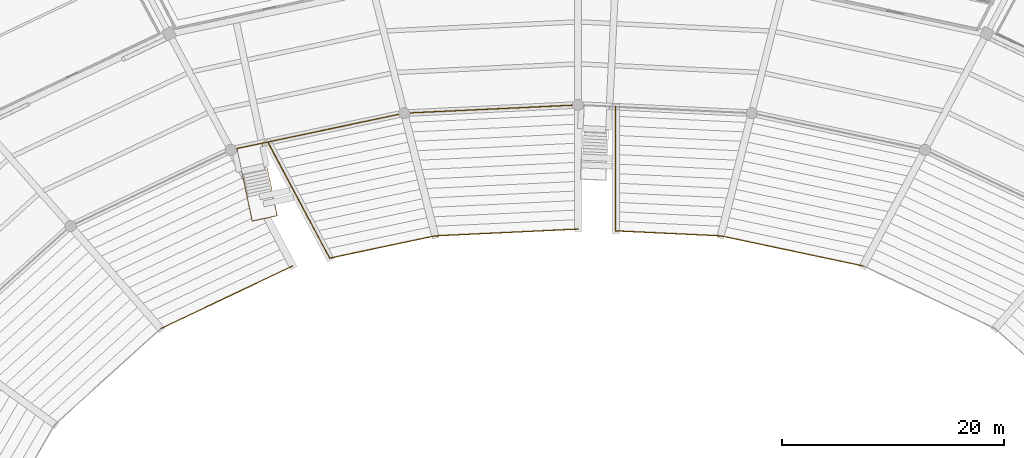
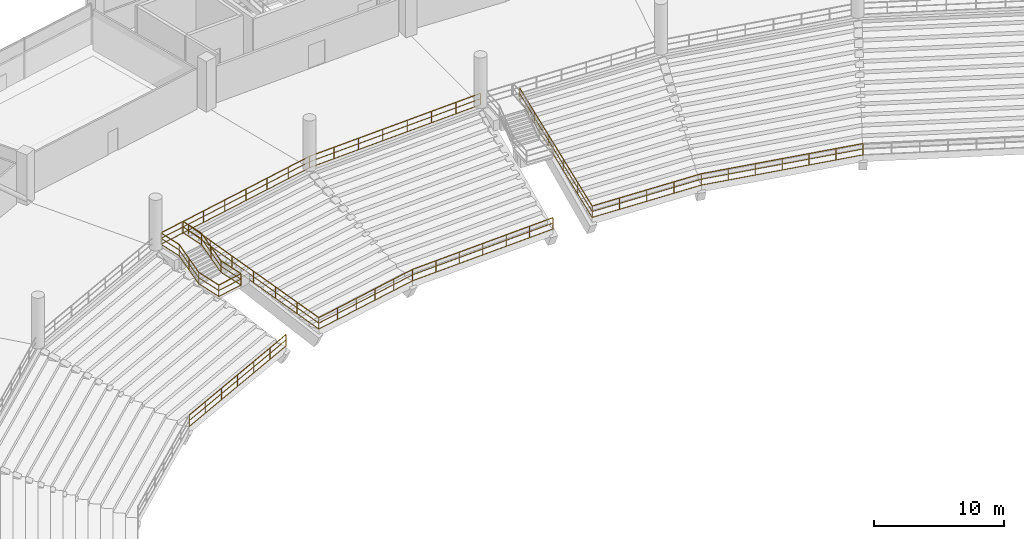
# One storey, part 153 of 156: 10 railings.
"""IFC4 building model written with IfcOpenShell, lengths in metres."""

from ifc_helpers import new_model, si_unit, direction, frame, origin, origin_2d, place, context, subcontext, project, spatial, rectangle, extrude, material, type_object, element, save


model = new_model("IFC4")

# Units and contexts
model_context = context("Model", 3, precision=1e-05, world=origin(), true_north=direction((0.0, 1.0)))
body_context = subcontext(model_context, "Body", "Model", "MODEL_VIEW")
ifc_project = project(units=[si_unit("LENGTHUNIT", "METRE"), si_unit("AREAUNIT", "SQUARE_METRE"), si_unit("VOLUMEUNIT", "CUBIC_METRE"), si_unit("PLANEANGLEUNIT", "RADIAN"), si_unit("MASSUNIT", "GRAM", prefix="KILO")], contexts=[model_context])

# Site, building, storey
site_placement = place(None, origin())
site = spatial("IfcSite", under=ifc_project, at=site_placement, CompositionType="ELEMENT")
building_placement = place(site_placement, origin())
building = spatial("IfcBuilding", under=site, at=building_placement, Name="Kazemori Nagisa Stadium", CompositionType="ELEMENT")
storey_placement = place(building_placement, frame((0.0, 0.0, 5.780029296875)))
storey = spatial("IfcBuildingStorey", under=building, at=storey_placement, Name="L01", CompositionType="ELEMENT", Elevation=5.780029296875)

# Railings
ifc_material_1 = material(Name="Laminated safety glass and stainless steel SUS304", Category="steel")
railing_type_1 = type_object("IfcRailingType", Name="Rail_BAL", PredefinedType="BALUSTRADE", material=ifc_material_1)
railing_1_placement = place(storey_placement, frame((123.0, 164.780029296875, 0.0)))
element("IfcRailing", 1, at=railing_1_placement, inside=storey, type_object=railing_type_1, Name="Concourse bowl balustrade L01-B08", PredefinedType="BALUSTRADE", context=body_context, shape_type="SweptSolid", body=[
    extrude(rectangle(XDim=0.050048828125, YDim=0.050048828125, at=origin_2d()), frame((0.0, 0.0, 1.09521484375), z_axis=(-0.998883604512, -0.047239227746, 0.0), x_axis=(0.047239227746, -0.998883604512, 0.0)), (0.0, 0.0, 1.0), 15.65966796875),
    extrude(rectangle(XDim=0.03759765625, YDim=0.03759765625, at=origin_2d()), frame((0.0, 0.0, 0.58251953125), z_axis=(-0.998883604512, -0.047239227746, 0.0), x_axis=(0.047239227746, -0.998883604512, 0.0)), (0.0, 0.0, 1.0), 15.65966796875),
    extrude(rectangle(XDim=0.03759765625, YDim=0.03759765625, at=origin_2d()), frame((0.0, 0.0, 0.02490234375), z_axis=(-0.998883604512, -0.047239227746, 0.0), x_axis=(0.047239227746, -0.998883604512, 0.0)), (0.0, 0.0, 1.0), 15.65966796875),
    extrude(rectangle(XDim=0.044921875, YDim=0.044921875, at=origin_2d()), origin(), (0.0, 0.0, 1.0), 1.070068359375),
    extrude(rectangle(XDim=0.044921875, YDim=0.044921875, at=origin_2d()), frame((-2.234619140625, -0.105712890625, 0.0)), (0.0, 0.0, 1.0), 1.070068359375),
    extrude(rectangle(XDim=0.044921875, YDim=0.044921875, at=origin_2d()), frame((-4.46923828125, -0.21142578125, 0.0)), (0.0, 0.0, 1.0), 1.070068359375),
    extrude(rectangle(XDim=0.044921875, YDim=0.044921875, at=origin_2d()), frame((-6.703857421875, -0.317138671875, 0.0)), (0.0, 0.0, 1.0), 1.070068359375),
    extrude(rectangle(XDim=0.044921875, YDim=0.044921875, at=origin_2d()), frame((-8.938232421875, -0.422607421875, 0.0)), (0.0, 0.0, 1.0), 1.070068359375),
    extrude(rectangle(XDim=0.044921875, YDim=0.044921875, at=origin_2d()), frame((-11.1728515625, -0.5283203125, 0.0)), (0.0, 0.0, 1.0), 1.070068359375),
    extrude(rectangle(XDim=0.044921875, YDim=0.044921875, at=origin_2d()), frame((-13.407470703125, -0.634033203125, 0.0)), (0.0, 0.0, 1.0), 1.070068359375),
    extrude(rectangle(XDim=0.044921875, YDim=0.044921875, at=origin_2d()), frame((-15.64208984375, -0.73974609375, 0.0)), (0.0, 0.0, 1.0), 1.070068359375),
])
railing_2_placement = place(storey_placement, frame((107.35791015625, 164.040283203125, 0.0)))
element("IfcRailing", 2, at=railing_2_placement, inside=storey, type_object=railing_type_1, Name="Concourse bowl balustrade L01-B09", PredefinedType="BALUSTRADE", context=body_context, shape_type="SweptSolid", body=[
    extrude(rectangle(XDim=0.050048828125, YDim=0.050048828125, at=origin_2d()), frame((0.0, 0.0, 1.09521484375), z_axis=(-0.978347480919, -0.206969095711, 0.0), x_axis=(0.206969095711, -0.978347480919, 0.0)), (0.0, 0.0, 1.0), 15.40087890625),
    extrude(rectangle(XDim=0.03759765625, YDim=0.03759765625, at=origin_2d()), frame((0.0, 0.0, 0.58251953125), z_axis=(-0.978347480919, -0.206969095711, 0.0), x_axis=(0.206969095711, -0.978347480919, 0.0)), (0.0, 0.0, 1.0), 15.40087890625),
    extrude(rectangle(XDim=0.03759765625, YDim=0.03759765625, at=origin_2d()), frame((0.0, 0.0, 0.02490234375), z_axis=(-0.978347480919, -0.206969095711, 0.0), x_axis=(0.206969095711, -0.978347480919, 0.0)), (0.0, 0.0, 1.0), 15.40087890625),
    extrude(rectangle(XDim=0.044921875, YDim=0.044921875, at=origin_2d()), origin(), (0.0, 0.0, 1.0), 1.070068359375),
    extrude(rectangle(XDim=0.044921875, YDim=0.044921875, at=origin_2d()), frame((-2.152587890625, -0.455322265625, 0.0)), (0.0, 0.0, 1.0), 1.070068359375),
    extrude(rectangle(XDim=0.044921875, YDim=0.044921875, at=origin_2d()), frame((-4.304931640625, -0.91064453125, 0.0)), (0.0, 0.0, 1.0), 1.070068359375),
    extrude(rectangle(XDim=0.044921875, YDim=0.044921875, at=origin_2d()), frame((-6.45751953125, -1.365966796875, 0.0)), (0.0, 0.0, 1.0), 1.070068359375),
    extrude(rectangle(XDim=0.044921875, YDim=0.044921875, at=origin_2d()), frame((-8.60986328125, -1.821533203125, 0.0)), (0.0, 0.0, 1.0), 1.070068359375),
    extrude(rectangle(XDim=0.044921875, YDim=0.044921875, at=origin_2d()), frame((-10.762451171875, -2.27685546875, 0.0)), (0.0, 0.0, 1.0), 1.070068359375),
    extrude(rectangle(XDim=0.044921875, YDim=0.044921875, at=origin_2d()), frame((-12.914794921875, -2.732177734375, 0.0)), (0.0, 0.0, 1.0), 1.070068359375),
    extrude(rectangle(XDim=0.044921875, YDim=0.044921875, at=origin_2d()), frame((-15.0673828125, -3.1875, 0.0)), (0.0, 0.0, 1.0), 1.070068359375),
])
ifc_material_2 = material(Name="Galvanised powder-coated steel", Category="steel")
railing_type_2 = type_object("IfcRailingType", Name="Rail_GUARD", PredefinedType="GUARDRAIL", material=ifc_material_2)
railing_3_placement = place(storey_placement, frame((92.29052734375, 160.852783203125, 0.0)))
element("IfcRailing", 3, at=railing_3_placement, inside=storey, type_object=railing_type_2, Name="Vomitory stair guard VL04", PredefinedType="GUARDRAIL", context=body_context, shape_type="SweptSolid", body=[
    extrude(rectangle(XDim=0.050048828125, YDim=0.050048828125, at=origin_2d()), frame((0.0, 0.0, 1.09521484375), z_axis=(0.207059170337, -0.978328421329, 0.0), x_axis=(0.978328421329, 0.207059170337, 0.0)), (0.0, 0.0, 1.0), 2.099853515625),
    extrude(rectangle(XDim=0.03759765625, YDim=0.03759765625, at=origin_2d()), frame((0.0, 0.0, 0.58251953125), z_axis=(0.207059170337, -0.978328421329, 0.0), x_axis=(0.978328421329, 0.207059170337, 0.0)), (0.0, 0.0, 1.0), 2.099853515625),
    extrude(rectangle(XDim=0.03759765625, YDim=0.03759765625, at=origin_2d()), frame((0.0, 0.0, 0.02490234375), z_axis=(0.207059170337, -0.978328421329, 0.0), x_axis=(0.978328421329, 0.207059170337, 0.0)), (0.0, 0.0, 1.0), 2.099853515625),
    extrude(rectangle(XDim=0.050048828125, YDim=0.050048828125, at=origin_2d()), frame((0.434814453125, -2.054443359375, 1.09521484375), z_axis=(0.174281141249, -0.824065574537, -0.539019491918), x_axis=(0.97835941918, 0.206912655249, 0.0)), (0.0, 0.0, 1.0), 2.67138671875),
    extrude(rectangle(XDim=0.03759765625, YDim=0.03759765625, at=origin_2d()), frame((0.434814453125, -2.054443359375, 0.58251953125), z_axis=(0.174281141249, -0.824065574537, -0.539019491918), x_axis=(0.97835941918, 0.206912655249, 0.0)), (0.0, 0.0, 1.0), 2.67138671875),
    extrude(rectangle(XDim=0.03759765625, YDim=0.03759765625, at=origin_2d()), frame((0.434814453125, -2.054443359375, 0.02490234375), z_axis=(0.174281141249, -0.824065574537, -0.539019491918), x_axis=(0.97835941918, 0.206912655249, 0.0)), (0.0, 0.0, 1.0), 2.67138671875),
    extrude(rectangle(XDim=0.050048828125, YDim=0.050048828125, at=origin_2d()), frame((0.900390625, -4.255859375, -0.3447265625), z_axis=(0.20699152019, -0.978342736759, 0.0), x_axis=(0.978342736759, 0.20699152019, 0.0)), (0.0, 0.0, 1.0), 2.320068359375),
    extrude(rectangle(XDim=0.03759765625, YDim=0.03759765625, at=origin_2d()), frame((0.900390625, -4.255859375, -0.857421875), z_axis=(0.20699152019, -0.978342736759, 0.0), x_axis=(0.978342736759, 0.20699152019, 0.0)), (0.0, 0.0, 1.0), 2.320068359375),
    extrude(rectangle(XDim=0.03759765625, YDim=0.03759765625, at=origin_2d()), frame((0.900390625, -4.255859375, -1.4150390625), z_axis=(0.20699152019, -0.978342736759, 0.0), x_axis=(0.978342736759, 0.20699152019, 0.0)), (0.0, 0.0, 1.0), 2.320068359375),
    extrude(rectangle(XDim=0.050048828125, YDim=0.050048828125, at=origin_2d()), frame((1.380615234375, -6.525634765625, -0.3447265625), z_axis=(0.978344329753, 0.20698399078, 0.0), x_axis=(-0.20698399078, 0.978344329753, 0.0)), (0.0, 0.0, 1.0), 2.300048828125),
    extrude(rectangle(XDim=0.03759765625, YDim=0.03759765625, at=origin_2d()), frame((1.380615234375, -6.525634765625, -0.857421875), z_axis=(0.978344329753, 0.20698399078, 0.0), x_axis=(-0.20698399078, 0.978344329753, 0.0)), (0.0, 0.0, 1.0), 2.300048828125),
    extrude(rectangle(XDim=0.03759765625, YDim=0.03759765625, at=origin_2d()), frame((1.380615234375, -6.525634765625, -1.4150390625), z_axis=(0.978344329753, 0.20698399078, 0.0), x_axis=(-0.20698399078, 0.978344329753, 0.0)), (0.0, 0.0, 1.0), 2.300048828125),
    extrude(rectangle(XDim=0.050048828125, YDim=0.050048828125, at=origin_2d()), frame((3.630859375, -6.049560546875, -0.3447265625), z_axis=(-0.20699152019, 0.978342736759, 0.0), x_axis=(-0.978342736759, -0.20699152019, 0.0)), (0.0, 0.0, 1.0), 2.320068359375),
    extrude(rectangle(XDim=0.03759765625, YDim=0.03759765625, at=origin_2d()), frame((3.630859375, -6.049560546875, -0.857421875), z_axis=(-0.20699152019, 0.978342736759, 0.0), x_axis=(-0.978342736759, -0.20699152019, 0.0)), (0.0, 0.0, 1.0), 2.320068359375),
    extrude(rectangle(XDim=0.03759765625, YDim=0.03759765625, at=origin_2d()), frame((3.630859375, -6.049560546875, -1.4150390625), z_axis=(-0.20699152019, 0.978342736759, 0.0), x_axis=(-0.978342736759, -0.20699152019, 0.0)), (0.0, 0.0, 1.0), 2.320068359375),
    extrude(rectangle(XDim=0.050048828125, YDim=0.050048828125, at=origin_2d()), frame((3.150634765625, -3.77978515625, -0.3447265625), z_axis=(-0.174294267384, 0.824036242648, 0.539060088636), x_axis=(-0.978354773175, -0.206934622055, 0.0)), (0.0, 0.0, 1.0), 2.671142578125),
    extrude(rectangle(XDim=0.03759765625, YDim=0.03759765625, at=origin_2d()), frame((3.150634765625, -3.77978515625, -0.857421875), z_axis=(-0.174294267384, 0.824036242648, 0.539060088636), x_axis=(-0.978354773175, -0.206934622055, 0.0)), (0.0, 0.0, 1.0), 2.671142578125),
    extrude(rectangle(XDim=0.03759765625, YDim=0.03759765625, at=origin_2d()), frame((3.150634765625, -3.77978515625, -1.4150390625), z_axis=(-0.174294267384, 0.824036242648, 0.539060088636), x_axis=(-0.978354773175, -0.206934622055, 0.0)), (0.0, 0.0, 1.0), 2.671142578125),
    extrude(rectangle(XDim=0.050048828125, YDim=0.050048828125, at=origin_2d()), frame((2.68505859375, -1.57861328125, 1.09521484375), z_axis=(-0.207035621937, 0.978333404954, 0.0), x_axis=(-0.978333404954, -0.207035621937, 0.0)), (0.0, 0.0, 1.0), 2.10009765625),
    extrude(rectangle(XDim=0.03759765625, YDim=0.03759765625, at=origin_2d()), frame((2.68505859375, -1.57861328125, 0.58251953125), z_axis=(-0.207035621937, 0.978333404954, 0.0), x_axis=(-0.978333404954, -0.207035621937, 0.0)), (0.0, 0.0, 1.0), 2.10009765625),
    extrude(rectangle(XDim=0.03759765625, YDim=0.03759765625, at=origin_2d()), frame((2.68505859375, -1.57861328125, 0.02490234375), z_axis=(-0.207035621937, 0.978333404954, 0.0), x_axis=(-0.978333404954, -0.207035621937, 0.0)), (0.0, 0.0, 1.0), 2.10009765625),
    extrude(rectangle(XDim=0.044921875, YDim=0.044921875, at=origin_2d()), origin(), (0.0, 0.0, 1.0), 1.070068359375),
    extrude(rectangle(XDim=0.044921875, YDim=0.044921875, at=origin_2d()), frame((0.434814453125, -2.054443359375, 0.0)), (0.0, 0.0, 1.0), 1.070068359375),
    extrude(rectangle(XDim=0.044921875, YDim=0.044921875, at=origin_2d()), frame((0.66748046875, -3.1552734375, -0.719970703125)), (0.0, 0.0, 1.0), 1.070068359375),
    extrude(rectangle(XDim=0.044921875, YDim=0.044921875, at=origin_2d()), frame((0.900390625, -4.255859375, -1.43994140625)), (0.0, 0.0, 1.0), 1.070068359375),
    extrude(rectangle(XDim=0.044921875, YDim=0.044921875, at=origin_2d()), frame((1.380615234375, -6.525634765625, -1.43994140625)), (0.0, 0.0, 1.0), 1.070068359375),
    extrude(rectangle(XDim=0.044921875, YDim=0.044921875, at=origin_2d()), frame((3.630859375, -6.049560546875, -1.43994140625)), (0.0, 0.0, 1.0), 1.070068359375),
    extrude(rectangle(XDim=0.044921875, YDim=0.044921875, at=origin_2d()), frame((3.150634765625, -3.77978515625, -1.43994140625)), (0.0, 0.0, 1.0), 1.070068359375),
    extrude(rectangle(XDim=0.044921875, YDim=0.044921875, at=origin_2d()), frame((2.91796875, -2.67919921875, -0.719970703125)), (0.0, 0.0, 1.0), 1.070068359375),
    extrude(rectangle(XDim=0.044921875, YDim=0.044921875, at=origin_2d()), frame((2.68505859375, -1.57861328125, 0.0)), (0.0, 0.0, 1.0), 1.070068359375),
    extrude(rectangle(XDim=0.044921875, YDim=0.044921875, at=origin_2d()), frame((2.250244140625, 0.47607421875, 0.0)), (0.0, 0.0, 1.0), 1.070068359375),
])
railing_4_placement = place(storey_placement, frame((148.682861328125, 150.278564453125, -4.919921875)))
element("IfcRailing", 4, at=railing_4_placement, inside=storey, type_object=railing_type_2, Name="Lower tier pitch-side crowd barrier B06", PredefinedType="GUARDRAIL", context=body_context, shape_type="SweptSolid", body=[
    extrude(rectangle(XDim=0.050048828125, YDim=0.050048828125, at=origin_2d()), frame((0.0, 0.0, 1.09521484375), z_axis=(-0.978343611705, 0.206987384729, 0.0), x_axis=(-0.206987384729, -0.978343611705, 0.0)), (0.0, 0.0, 1.0), 13.110107421875),
    extrude(rectangle(XDim=0.03759765625, YDim=0.03759765625, at=origin_2d()), frame((0.0, 0.0, 0.58251953125), z_axis=(-0.978343611705, 0.206987384729, 0.0), x_axis=(-0.206987384729, -0.978343611705, 0.0)), (0.0, 0.0, 1.0), 13.110107421875),
    extrude(rectangle(XDim=0.03759765625, YDim=0.03759765625, at=origin_2d()), frame((0.0, 0.0, 0.02490234375), z_axis=(-0.978343611705, 0.206987384729, 0.0), x_axis=(-0.206987384729, -0.978343611705, 0.0)), (0.0, 0.0, 1.0), 13.110107421875),
    extrude(rectangle(XDim=0.044921875, YDim=0.044921875, at=origin_2d()), origin(), (0.0, 0.0, 1.0), 1.070068359375),
    extrude(rectangle(XDim=0.044921875, YDim=0.044921875, at=origin_2d()), frame((-2.1376953125, 0.4521484375, 0.0)), (0.0, 0.0, 1.0), 1.070068359375),
    extrude(rectangle(XDim=0.044921875, YDim=0.044921875, at=origin_2d()), frame((-4.275390625, 0.904541015625, 0.0)), (0.0, 0.0, 1.0), 1.070068359375),
    extrude(rectangle(XDim=0.044921875, YDim=0.044921875, at=origin_2d()), frame((-6.4130859375, 1.35693359375, 0.0)), (0.0, 0.0, 1.0), 1.070068359375),
    extrude(rectangle(XDim=0.044921875, YDim=0.044921875, at=origin_2d()), frame((-8.55078125, 1.80908203125, 0.0)), (0.0, 0.0, 1.0), 1.070068359375),
    extrude(rectangle(XDim=0.044921875, YDim=0.044921875, at=origin_2d()), frame((-10.6884765625, 2.26123046875, 0.0)), (0.0, 0.0, 1.0), 1.070068359375),
    extrude(rectangle(XDim=0.044921875, YDim=0.044921875, at=origin_2d()), frame((-12.826171875, 2.713623046875, 0.0)), (0.0, 0.0, 1.0), 1.070068359375),
])
railing_5_placement = place(storey_placement, frame((135.856689453125, 152.9921875, -4.919921875)))
element("IfcRailing", 5, at=railing_5_placement, inside=storey, type_object=railing_type_2, Name="Lower tier pitch-side crowd barrier B07", PredefinedType="GUARDRAIL", context=body_context, shape_type="SweptSolid", body=[
    extrude(rectangle(XDim=0.050048828125, YDim=0.050048828125, at=origin_2d()), frame((0.0, 0.0, 1.09521484375), z_axis=(-0.998884292795, 0.047224671597, 0.0), x_axis=(-0.047224671597, -0.998884292795, 0.0)), (0.0, 0.0, 1.0), 9.470947265625),
    extrude(rectangle(XDim=0.03759765625, YDim=0.03759765625, at=origin_2d()), frame((0.0, 0.0, 0.58251953125), z_axis=(-0.998884292795, 0.047224671597, 0.0), x_axis=(-0.047224671597, -0.998884292795, 0.0)), (0.0, 0.0, 1.0), 9.470947265625),
    extrude(rectangle(XDim=0.03759765625, YDim=0.03759765625, at=origin_2d()), frame((0.0, 0.0, 0.02490234375), z_axis=(-0.998884292795, 0.047224671597, 0.0), x_axis=(-0.047224671597, -0.998884292795, 0.0)), (0.0, 0.0, 1.0), 9.470947265625),
    extrude(rectangle(XDim=0.044921875, YDim=0.044921875, at=origin_2d()), origin(), (0.0, 0.0, 1.0), 1.070068359375),
    extrude(rectangle(XDim=0.044921875, YDim=0.044921875, at=origin_2d()), frame((-2.365234375, 0.11181640625, 0.0)), (0.0, 0.0, 1.0), 1.070068359375),
    extrude(rectangle(XDim=0.044921875, YDim=0.044921875, at=origin_2d()), frame((-4.730224609375, 0.2236328125, 0.0)), (0.0, 0.0, 1.0), 1.070068359375),
    extrude(rectangle(XDim=0.044921875, YDim=0.044921875, at=origin_2d()), frame((-7.09521484375, 0.33544921875, 0.0)), (0.0, 0.0, 1.0), 1.070068359375),
    extrude(rectangle(XDim=0.044921875, YDim=0.044921875, at=origin_2d()), frame((-9.46044921875, 0.447265625, 0.0)), (0.0, 0.0, 1.0), 1.070068359375),
])
railing_6_placement = place(storey_placement, frame((126.396240234375, 153.439453125, -4.919921875)))
element("IfcRailing", 6, at=railing_6_placement, inside=storey, type_object=railing_type_2, Name="Lower tier vomitory aisle guard B07", PredefinedType="GUARDRAIL", context=body_context, shape_type="SweptSolid", body=[
    extrude(rectangle(XDim=0.050048828125, YDim=0.050048828125, at=origin_2d()), frame((0.0, 0.0, 1.09521484375), z_axis=(0.0, 0.932789574292, 0.360421434008), x_axis=(-1.0, 0.0, 0.0)), (0.0, 0.0, 1.0), 11.985595703125),
    extrude(rectangle(XDim=0.03759765625, YDim=0.03759765625, at=origin_2d()), frame((0.0, 0.0, 0.58251953125), z_axis=(0.0, 0.932789574292, 0.360421434008), x_axis=(-1.0, 0.0, 0.0)), (0.0, 0.0, 1.0), 11.985595703125),
    extrude(rectangle(XDim=0.03759765625, YDim=0.03759765625, at=origin_2d()), frame((0.0, 0.0, 0.02490234375), z_axis=(0.0, 0.932789574292, 0.360421434008), x_axis=(-1.0, 0.0, 0.0)), (0.0, 0.0, 1.0), 11.985595703125),
    extrude(rectangle(XDim=0.044921875, YDim=0.044921875, at=origin_2d()), origin(), (0.0, 0.0, 1.0), 1.070068359375),
    extrude(rectangle(XDim=0.044921875, YDim=0.044921875, at=origin_2d()), frame((0.0, 2.236083984375, 0.864013671875)), (0.0, 0.0, 1.0), 1.070068359375),
    extrude(rectangle(XDim=0.044921875, YDim=0.044921875, at=origin_2d()), frame((0.0, 4.471923828125, 1.72802734375)), (0.0, 0.0, 1.0), 1.070068359375),
    extrude(rectangle(XDim=0.044921875, YDim=0.044921875, at=origin_2d()), frame((0.0, 6.7080078125, 2.591796875)), (0.0, 0.0, 1.0), 1.070068359375),
    extrude(rectangle(XDim=0.044921875, YDim=0.044921875, at=origin_2d()), frame((0.0, 8.94384765625, 3.455810546875)), (0.0, 0.0, 1.0), 1.070068359375),
    extrude(rectangle(XDim=0.044921875, YDim=0.044921875, at=origin_2d()), frame((0.0, 11.179931640625, 4.31982421875)), (0.0, 0.0, 1.0), 1.070068359375),
])
railing_7_placement = place(storey_placement, frame((123.0, 153.60009765625, -4.919921875)))
element("IfcRailing", 7, at=railing_7_placement, inside=storey, type_object=railing_type_2, Name="Lower tier pitch-side crowd barrier B08", PredefinedType="GUARDRAIL", context=body_context, shape_type="SweptSolid", body=[
    extrude(rectangle(XDim=0.050048828125, YDim=0.050048828125, at=origin_2d()), frame((0.0, 0.0, 1.09521484375), z_axis=(-0.998884003033, -0.047230800166, 0.0), x_axis=(0.047230800166, -0.998884003033, 0.0)), (0.0, 0.0, 1.0), 12.87109375),
    extrude(rectangle(XDim=0.03759765625, YDim=0.03759765625, at=origin_2d()), frame((0.0, 0.0, 0.58251953125), z_axis=(-0.998884003033, -0.047230800166, 0.0), x_axis=(0.047230800166, -0.998884003033, 0.0)), (0.0, 0.0, 1.0), 12.87109375),
    extrude(rectangle(XDim=0.03759765625, YDim=0.03759765625, at=origin_2d()), frame((0.0, 0.0, 0.02490234375), z_axis=(-0.998884003033, -0.047230800166, 0.0), x_axis=(0.047230800166, -0.998884003033, 0.0)), (0.0, 0.0, 1.0), 12.87109375),
    extrude(rectangle(XDim=0.044921875, YDim=0.044921875, at=origin_2d()), origin(), (0.0, 0.0, 1.0), 1.070068359375),
    extrude(rectangle(XDim=0.044921875, YDim=0.044921875, at=origin_2d()), frame((-2.142822265625, -0.101318359375, 0.0)), (0.0, 0.0, 1.0), 1.070068359375),
    extrude(rectangle(XDim=0.044921875, YDim=0.044921875, at=origin_2d()), frame((-4.28564453125, -0.20263671875, 0.0)), (0.0, 0.0, 1.0), 1.070068359375),
    extrude(rectangle(XDim=0.044921875, YDim=0.044921875, at=origin_2d()), frame((-6.42822265625, -0.303955078125, 0.0)), (0.0, 0.0, 1.0), 1.070068359375),
    extrude(rectangle(XDim=0.044921875, YDim=0.044921875, at=origin_2d()), frame((-8.571044921875, -0.4052734375, 0.0)), (0.0, 0.0, 1.0), 1.070068359375),
    extrude(rectangle(XDim=0.044921875, YDim=0.044921875, at=origin_2d()), frame((-10.7138671875, -0.506591796875, 0.0)), (0.0, 0.0, 1.0), 1.070068359375),
    extrude(rectangle(XDim=0.044921875, YDim=0.044921875, at=origin_2d()), frame((-12.856689453125, -0.60791015625, 0.0)), (0.0, 0.0, 1.0), 1.070068359375),
])
railing_8_placement = place(storey_placement, frame((110.143310546875, 152.9921875, -4.919921875)))
element("IfcRailing", 8, at=railing_8_placement, inside=storey, type_object=railing_type_2, Name="Lower tier pitch-side crowd barrier B09", PredefinedType="GUARDRAIL", context=body_context, shape_type="SweptSolid", body=[
    extrude(rectangle(XDim=0.050048828125, YDim=0.050048828125, at=origin_2d()), frame((0.0, 0.0, 1.09521484375), z_axis=(-0.978340401435, -0.20700255776, 0.0), x_axis=(0.20700255776, -0.978340401435, 0.0)), (0.0, 0.0, 1.0), 9.7099609375),
    extrude(rectangle(XDim=0.03759765625, YDim=0.03759765625, at=origin_2d()), frame((0.0, 0.0, 0.58251953125), z_axis=(-0.978340401435, -0.20700255776, 0.0), x_axis=(0.20700255776, -0.978340401435, 0.0)), (0.0, 0.0, 1.0), 9.7099609375),
    extrude(rectangle(XDim=0.03759765625, YDim=0.03759765625, at=origin_2d()), frame((0.0, 0.0, 0.02490234375), z_axis=(-0.978340401435, -0.20700255776, 0.0), x_axis=(0.20700255776, -0.978340401435, 0.0)), (0.0, 0.0, 1.0), 9.7099609375),
    extrude(rectangle(XDim=0.044921875, YDim=0.044921875, at=origin_2d()), origin(), (0.0, 0.0, 1.0), 1.070068359375),
    extrude(rectangle(XDim=0.044921875, YDim=0.044921875, at=origin_2d()), frame((-1.89990234375, -0.402099609375, 0.0)), (0.0, 0.0, 1.0), 1.070068359375),
    extrude(rectangle(XDim=0.044921875, YDim=0.044921875, at=origin_2d()), frame((-3.7998046875, -0.803955078125, 0.0)), (0.0, 0.0, 1.0), 1.070068359375),
    extrude(rectangle(XDim=0.044921875, YDim=0.044921875, at=origin_2d()), frame((-5.699951171875, -1.2060546875, 0.0)), (0.0, 0.0, 1.0), 1.070068359375),
    extrude(rectangle(XDim=0.044921875, YDim=0.044921875, at=origin_2d()), frame((-7.599853515625, -1.60791015625, 0.0)), (0.0, 0.0, 1.0), 1.070068359375),
    extrude(rectangle(XDim=0.044921875, YDim=0.044921875, at=origin_2d()), frame((-9.499755859375, -2.010009765625, 0.0)), (0.0, 0.0, 1.0), 1.070068359375),
])
railing_9_placement = place(storey_placement, frame((100.6435546875, 150.982177734375, -4.919921875)))
element("IfcRailing", 9, at=railing_9_placement, inside=storey, type_object=railing_type_2, Name="Lower tier vomitory aisle guard B09", PredefinedType="GUARDRAIL", context=body_context, shape_type="SweptSolid", body=[
    extrude(rectangle(XDim=0.050048828125, YDim=0.050048828125, at=origin_2d()), frame((0.0, 0.0, 1.09521484375), z_axis=(-0.441242969297, 0.829443086144, 0.342532931108), x_axis=(-0.882850394325, -0.469654321007, 0.0)), (0.0, 0.0, 1.0), 12.611328125),
    extrude(rectangle(XDim=0.03759765625, YDim=0.03759765625, at=origin_2d()), frame((0.0, 0.0, 0.58251953125), z_axis=(-0.441242969297, 0.829443086144, 0.342532931108), x_axis=(-0.882850394325, -0.469654321007, 0.0)), (0.0, 0.0, 1.0), 12.611328125),
    extrude(rectangle(XDim=0.03759765625, YDim=0.03759765625, at=origin_2d()), frame((0.0, 0.0, 0.02490234375), z_axis=(-0.441242969297, 0.829443086144, 0.342532931108), x_axis=(-0.882850394325, -0.469654321007, 0.0)), (0.0, 0.0, 1.0), 12.611328125),
    extrude(rectangle(XDim=0.044921875, YDim=0.044921875, at=origin_2d()), origin(), (0.0, 0.0, 1.0), 1.070068359375),
    extrude(rectangle(XDim=0.044921875, YDim=0.044921875, at=origin_2d()), frame((-0.927490234375, 1.743408203125, 0.719970703125)), (0.0, 0.0, 1.0), 1.070068359375),
    extrude(rectangle(XDim=0.044921875, YDim=0.044921875, at=origin_2d()), frame((-1.85498046875, 3.48681640625, 1.43994140625)), (0.0, 0.0, 1.0), 1.070068359375),
    extrude(rectangle(XDim=0.044921875, YDim=0.044921875, at=origin_2d()), frame((-2.7822265625, 5.230224609375, 2.159912109375)), (0.0, 0.0, 1.0), 1.070068359375),
    extrude(rectangle(XDim=0.044921875, YDim=0.044921875, at=origin_2d()), frame((-3.709716796875, 6.9736328125, 2.8798828125)), (0.0, 0.0, 1.0), 1.070068359375),
    extrude(rectangle(XDim=0.044921875, YDim=0.044921875, at=origin_2d()), frame((-4.63720703125, 8.717041015625, 3.599853515625)), (0.0, 0.0, 1.0), 1.070068359375),
    extrude(rectangle(XDim=0.044921875, YDim=0.044921875, at=origin_2d()), frame((-5.564697265625, 10.46044921875, 4.31982421875)), (0.0, 0.0, 1.0), 1.070068359375),
])
railing_10_placement = place(storey_placement, frame((97.317138671875, 150.278564453125, -4.919921875)))
element("IfcRailing", 10, at=railing_10_placement, inside=storey, type_object=railing_type_2, Name="Lower tier pitch-side crowd barrier B10", PredefinedType="GUARDRAIL", context=body_context, shape_type="SweptSolid", body=[
    extrude(rectangle(XDim=0.050048828125, YDim=0.050048828125, at=origin_2d()), frame((0.0, 0.0, 1.09521484375), z_axis=(-0.903219207247, -0.429179523812, 0.0), x_axis=(0.429179523812, -0.903219207247, 0.0)), (0.0, 0.0, 1.0), 13.1484375),
    extrude(rectangle(XDim=0.03759765625, YDim=0.03759765625, at=origin_2d()), frame((0.0, 0.0, 0.58251953125), z_axis=(-0.903219207247, -0.429179523812, 0.0), x_axis=(0.429179523812, -0.903219207247, 0.0)), (0.0, 0.0, 1.0), 13.1484375),
    extrude(rectangle(XDim=0.03759765625, YDim=0.03759765625, at=origin_2d()), frame((0.0, 0.0, 0.02490234375), z_axis=(-0.903219207247, -0.429179523812, 0.0), x_axis=(0.429179523812, -0.903219207247, 0.0)), (0.0, 0.0, 1.0), 13.1484375),
    extrude(rectangle(XDim=0.044921875, YDim=0.044921875, at=origin_2d()), origin(), (0.0, 0.0, 1.0), 1.070068359375),
    extrude(rectangle(XDim=0.044921875, YDim=0.044921875, at=origin_2d()), frame((-1.979248046875, -0.9404296875, 0.0)), (0.0, 0.0, 1.0), 1.070068359375),
    extrude(rectangle(XDim=0.044921875, YDim=0.044921875, at=origin_2d()), frame((-3.958740234375, -1.881103515625, 0.0)), (0.0, 0.0, 1.0), 1.070068359375),
    extrude(rectangle(XDim=0.044921875, YDim=0.044921875, at=origin_2d()), frame((-5.93798828125, -2.821533203125, 0.0)), (0.0, 0.0, 1.0), 1.070068359375),
    extrude(rectangle(XDim=0.044921875, YDim=0.044921875, at=origin_2d()), frame((-7.917236328125, -3.761962890625, 0.0)), (0.0, 0.0, 1.0), 1.070068359375),
    extrude(rectangle(XDim=0.044921875, YDim=0.044921875, at=origin_2d()), frame((-9.896728515625, -4.70263671875, 0.0)), (0.0, 0.0, 1.0), 1.070068359375),
    extrude(rectangle(XDim=0.044921875, YDim=0.044921875, at=origin_2d()), frame((-11.8759765625, -5.64306640625, 0.0)), (0.0, 0.0, 1.0), 1.070068359375),
])

save(model, "model.ifc")
